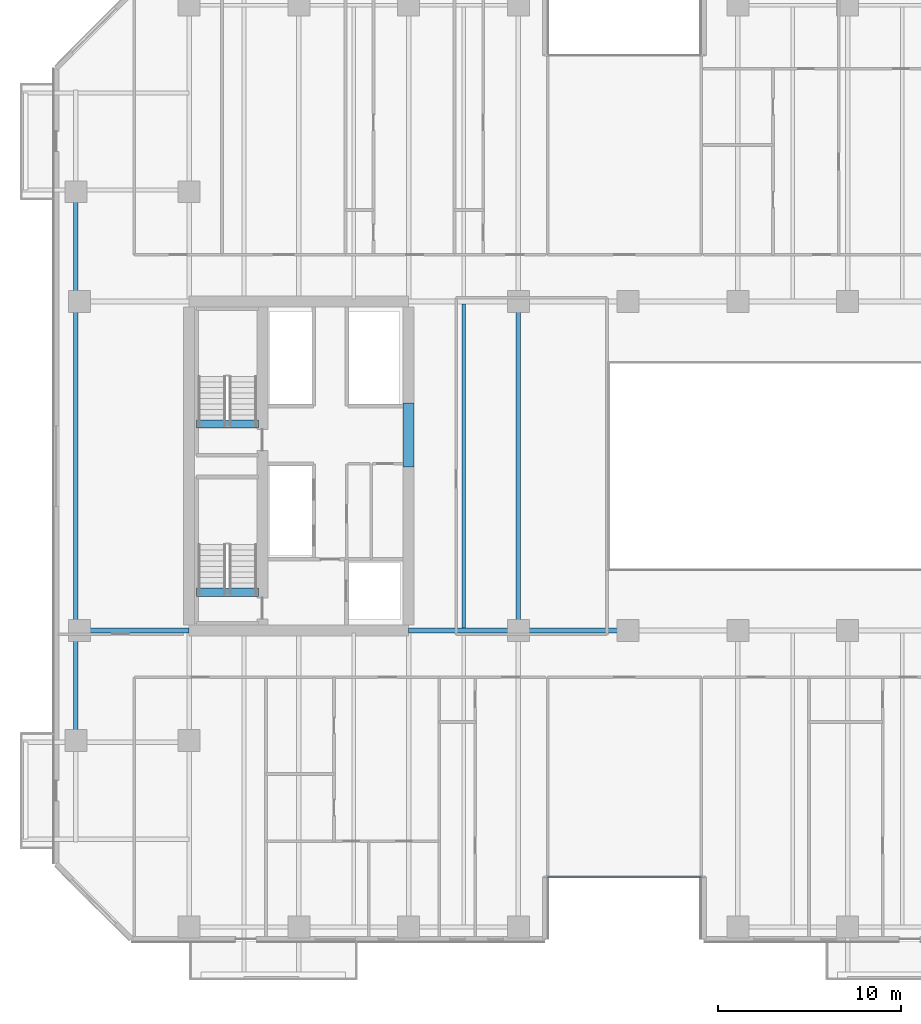
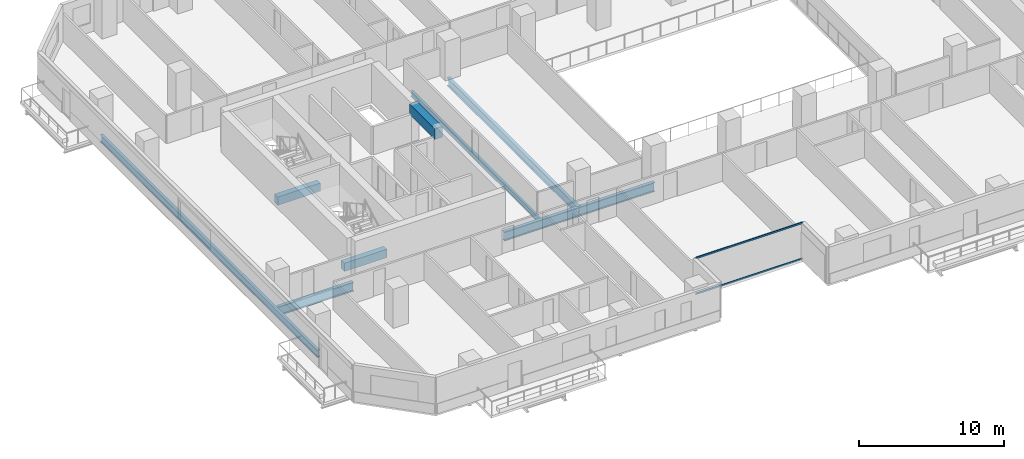
# One storey, part 3 of 26: 9 beams, 2 members, 1 element without a shape of its own.
"""IFC4 building model written with IfcOpenShell, lengths in metres."""

from ifc_helpers import new_model, si_unit, direction, frame, origin, origin_2d, place, context, subcontext, project, spatial, rectangle, hollow_rectangle, i_section, extrude, material, layer, layer_set, material_profile, profile_set, type_object, element, aggregate, save


model = new_model("IFC4")

# Units and contexts
model_context = context("Model", 3, precision=1e-05, world=origin(), true_north=direction((0.0, 1.0)))
body_context = subcontext(model_context, "Body", "Model", "MODEL_VIEW")
ifc_project = project(units=[si_unit("LENGTHUNIT", "METRE"), si_unit("AREAUNIT", "SQUARE_METRE"), si_unit("VOLUMEUNIT", "CUBIC_METRE"), si_unit("PLANEANGLEUNIT", "RADIAN"), si_unit("MASSUNIT", "GRAM", prefix="KILO")], contexts=[model_context])

# Site, building, storey
site_placement = place(None, origin())
site = spatial("IfcSite", under=ifc_project, at=site_placement, CompositionType="ELEMENT")
building_placement = place(site_placement, origin())
building = spatial("IfcBuilding", under=site, at=building_placement, Name="Tanjung Sevakor Pilgrim Tower", CompositionType="ELEMENT")
storey_placement = place(building_placement, frame((0.0, 0.0, 45.5400390625)))
storey = spatial("IfcBuildingStorey", under=building, at=storey_placement, Name="L12", CompositionType="ELEMENT", Elevation=45.5400390625)

# Beams
ifc_material_1 = material(Name="Steel S355J2", Category="steel")
ifc_material_profile_1 = material_profile(ifc_material_1, i_section(OverallWidth=0.26806640625, OverallDepth=0.769775390625, WebThickness=0.015625, FlangeThickness=0.025390625, FilletRadius=0.0166015625, at=origin_2d()))
ifc_profile_set_1 = profile_set([ifc_material_profile_1], Name="Steel S355J2")
beam_type_1 = type_object("IfcBeamType", Name="BM-B-G1-UB_762x267x197", PredefinedType="BEAM", material=ifc_profile_set_1)
for number, where, z_axis, x_axis, name in (
    (1, (18.0, 24.60009765625, -0.60498046875), (1.0, 0.0, 0.0), (0.0, 1.0, 0.0), "L12 Primary Floor Girder MAIN Y246-01"),
    (2, (36.0, 24.60009765625, -0.60498046875), (1.0, 0.0, 0.0), (0.0, 1.0, 0.0), "L12 Primary Floor Girder MAIN Y246-02"),
    (3, (42.0, 24.60009765625, -0.60498046875), (1.0, 0.0, 0.0), (0.0, 1.0, 0.0), "L12 Primary Floor Girder MAIN Y246-03"),
):
    element("IfcBeam", number, at=place(storey_placement, frame(where, z_axis=z_axis, x_axis=x_axis)), inside=storey, type_object=beam_type_1, Name=name, PredefinedType="BEAM", context=body_context, shape_type="SweptSolid", body=[
        extrude(i_section(OverallWidth=0.26806640625, OverallDepth=0.769775390625, WebThickness=0.015625, FlangeThickness=0.025390625, FilletRadius=0.0166015625, at=origin_2d()), origin(), (0.0, 0.0, 1.0), 6.0),
    ])
ifc_material_2 = material(Name="Steel S355J2", Category="steel")
ifc_material_profile_2 = material_profile(ifc_material_2, i_section(OverallWidth=0.25439453125, OverallDepth=0.6875, WebThickness=0.01318359375, FlangeThickness=0.02099609375, FilletRadius=0.01513671875, at=origin_2d()))
ifc_profile_set_2 = profile_set([ifc_material_profile_2], Name="Steel S355J2")
beam_type_2 = type_object("IfcBeamType", Name="BM-B-G2-UB_686x254x152", PredefinedType="BEAM", material=ifc_profile_set_2)
beam_1_placement = place(storey_placement, frame((42.0, 24.60009765625, -0.563720703125), z_axis=(0.0, 1.0, 0.0), x_axis=(-1.0, 0.0, 0.0)))
element("IfcBeam", 4, at=beam_1_placement, inside=storey, type_object=beam_type_2, Name="L12 MAIN Girder 011", PredefinedType="BEAM", context=body_context, shape_type="SweptSolid", body=[
    extrude(i_section(OverallWidth=0.25439453125, OverallDepth=0.6875, WebThickness=0.01318359375, FlangeThickness=0.02099609375, FilletRadius=0.01513671875, at=origin_2d()), origin(), (0.0, 0.0, 1.0), 18.0),
])
ifc_material_3 = material(Name="Steel S355J2", Category="steel")
ifc_material_profile_3 = material_profile(ifc_material_3, i_section(OverallWidth=0.22900390625, OverallDepth=0.6123046875, WebThickness=0.011962890625, FlangeThickness=0.01953125, FilletRadius=0.0126953125, at=origin_2d()))
ifc_profile_set_3 = profile_set([ifc_material_profile_3], Name="Steel S355J2")
beam_type_3 = type_object("IfcBeamType", Name="BM-B-G4-UB_610x229x125", PredefinedType="BEAM", material=ifc_profile_set_3)
beam_2_placement = place(storey_placement, frame((17.800048828125, 18.60009765625, -0.526123046875), z_axis=(0.0, 1.0, 0.0), x_axis=(-1.0, 0.0, 0.0)))
element("IfcBeam", 5, at=beam_2_placement, inside=storey, type_object=beam_type_3, Name="L12 Short-End Edge Girder W", PredefinedType="BEAM", context=body_context, shape_type="SweptSolid", body=[
    extrude(i_section(OverallWidth=0.22900390625, OverallDepth=0.6123046875, WebThickness=0.011962890625, FlangeThickness=0.01953125, FilletRadius=0.0126953125, at=origin_2d()), origin(), (0.0, 0.0, 1.0), 30.0),
])
ifc_material_4 = material(Name="Steel S355J2", Category="steel")
ifc_material_profile_4 = material_profile(ifc_material_4, i_section(OverallWidth=0.19140625, OverallDepth=0.4599609375, WebThickness=0.010009765625, FlangeThickness=0.01611328125, FilletRadius=0.01025390625, at=origin_2d()))
ifc_profile_set_4 = profile_set([ifc_material_profile_4], Name="Steel S355J2")
beam_type_4 = type_object("IfcBeamType", Name="BM-B-J2-UB_457x191x82", PredefinedType="JOIST", material=ifc_profile_set_4)
beam_3_placement = place(storey_placement, frame((39.0, 24.73388671875, -0.449951171875), z_axis=(0.0, 1.0, 0.0), x_axis=(-1.0, 0.0, 0.0)))
element("IfcBeam", 6, at=beam_3_placement, inside=storey, type_object=beam_type_4, Name="L12 MAIN Joist 008", PredefinedType="JOIST", context=body_context, shape_type="SweptSolid", body=[
    extrude(i_section(OverallWidth=0.19140625, OverallDepth=0.4599609375, WebThickness=0.010009765625, FlangeThickness=0.01611328125, FilletRadius=0.01025390625, at=origin_2d()), origin(), (0.0, 0.0, 1.0), 17.732177734375),
])
ifc_material_5 = material(Name="Concrete C60/75", Category="concrete")
ifc_material_profile_5 = material_profile(ifc_material_5, rectangle(XDim=0.60009765625, YDim=0.89990234375, at=origin_2d()))
ifc_profile_set_5 = profile_set([ifc_material_profile_5], Name="Concrete C60/75")
beam_type_5 = type_object("IfcBeamType", Name="BM-B-LN1-RC-BM_600x900", PredefinedType="LINTEL", material=ifc_profile_set_5)
beam_4_placement = place(storey_placement, frame((36.0, 33.550048828125, 2.6298828125), z_axis=(0.0, 1.0, 0.0), x_axis=(-1.0, 0.0, 0.0)))
element("IfcBeam", 7, at=beam_4_placement, inside=storey, type_object=beam_type_5, Name="L12 W Core Coupling Lintel", PredefinedType="LINTEL", context=body_context, shape_type="SweptSolid", body=[
    extrude(rectangle(XDim=0.60009765625, YDim=0.89990234375, at=origin_2d()), origin(), (0.0, 0.0, 1.0), 3.5),
])
ifc_material_6 = material(Name="Concrete C60/75", Category="concrete")
ifc_material_profile_6 = material_profile(ifc_material_6, rectangle(XDim=0.449951171875, YDim=0.699951171875, at=origin_2d()))
ifc_profile_set_6 = profile_set([ifc_material_profile_6], Name="Concrete C60/75")
beam_type_6 = type_object("IfcBeamType", Name="BM-B-LN3-RC-BM_450x700", PredefinedType="LINTEL", material=ifc_profile_set_6)
for number, where, z_axis, x_axis, name in (
    (8, (24.39990234375, 26.699951171875, -0.35009765625), (1.0, 0.0, 0.0), (0.0, 1.0, 0.0), "L12 TS-W1 Stair Threshold Beam"),
    (9, (24.39990234375, 35.89990234375, -0.35009765625), (1.0, 0.0, 0.0), (0.0, 1.0, 0.0), "L12 TS-W2 Stair Threshold Beam"),
):
    element("IfcBeam", number, at=place(storey_placement, frame(where, z_axis=z_axis, x_axis=x_axis)), inside=storey, type_object=beam_type_6, Name=name, PredefinedType="LINTEL", context=body_context, shape_type="SweptSolid", body=[
        extrude(rectangle(XDim=0.449951171875, YDim=0.699951171875, at=origin_2d()), origin(), (0.0, 0.0, 1.0), 3.400146484375),
    ])

# Curtain wall, members
ifc_material_7 = material(Name="Aluminium 6063-T6 and Low-E Glass", Category="aluminium")
ifc_layer = layer(ifc_material_7, 0.179931640625)
ifc_layer_set = layer_set([ifc_layer], Name="CW-SYS-CLEFT")
curtain_wall_type = type_object("IfcCurtainWallType", Name="CW-SYS-CLEFT", PredefinedType="NOTDEFINED", material=ifc_layer_set)
curtain_wall_placement = place(storey_placement, origin())
curtain_wall = element("IfcCurtainWall", 10, at=curtain_wall_placement, inside=storey, type_object=curtain_wall_type, Name="L12 Curtain Wall CW-CLF-L12-2", PredefinedType="NOTDEFINED")
ifc_material_8 = material(Name="Aluminium 6063-T6", Category="aluminium")
ifc_material_profile_7 = material_profile(ifc_material_8, hollow_rectangle(XDim=0.06494140625, YDim=0.139892578125, WallThickness=0.00390625, at=origin_2d()))
ifc_profile_set_7 = profile_set([ifc_material_profile_7], Name="Aluminium 6063-T6")
member_type = type_object("IfcMemberType", Name="TYPE-CWT-1", PredefinedType="USERDEFINED", material=ifc_profile_set_7)
member_1_placement = place(storey_placement, frame((43.534912109375, 11.139892578125, 0.032470703125), z_axis=(1.0, 0.0, 0.0), x_axis=(0.0, 1.0, 0.0)))
member_1 = element("IfcMember", 11, at=member_1_placement, type_object=member_type, Name="CW-CLF transom 1.1", ObjectType="TRANSOM", PredefinedType="USERDEFINED", context=body_context, shape_type="SweptSolid", body=[
    extrude(hollow_rectangle(XDim=0.06494140625, YDim=0.139892578125, WallThickness=0.00390625, at=origin_2d()), origin(), (0.0, 0.0, 1.0), 8.530029296875),
])
member_2_placement = place(storey_placement, frame((43.534912109375, 11.139892578125, 3.04736328125), z_axis=(1.0, 0.0, 0.0), x_axis=(0.0, 1.0, 0.0)))
member_2 = element("IfcMember", 12, at=member_2_placement, type_object=member_type, Name="CW-CLF transom 1.2", ObjectType="TRANSOM", PredefinedType="USERDEFINED", context=body_context, shape_type="SweptSolid", body=[
    extrude(hollow_rectangle(XDim=0.06494140625, YDim=0.139892578125, WallThickness=0.00390625, at=origin_2d()), origin(), (0.0, 0.0, 1.0), 8.530029296875),
])
aggregate(curtain_wall, [member_1, member_2])

save(model, "model.ifc")
